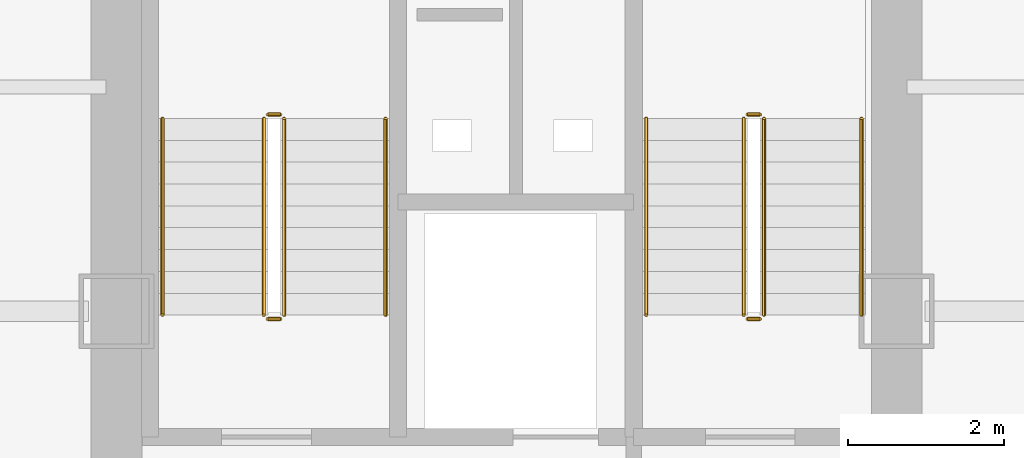
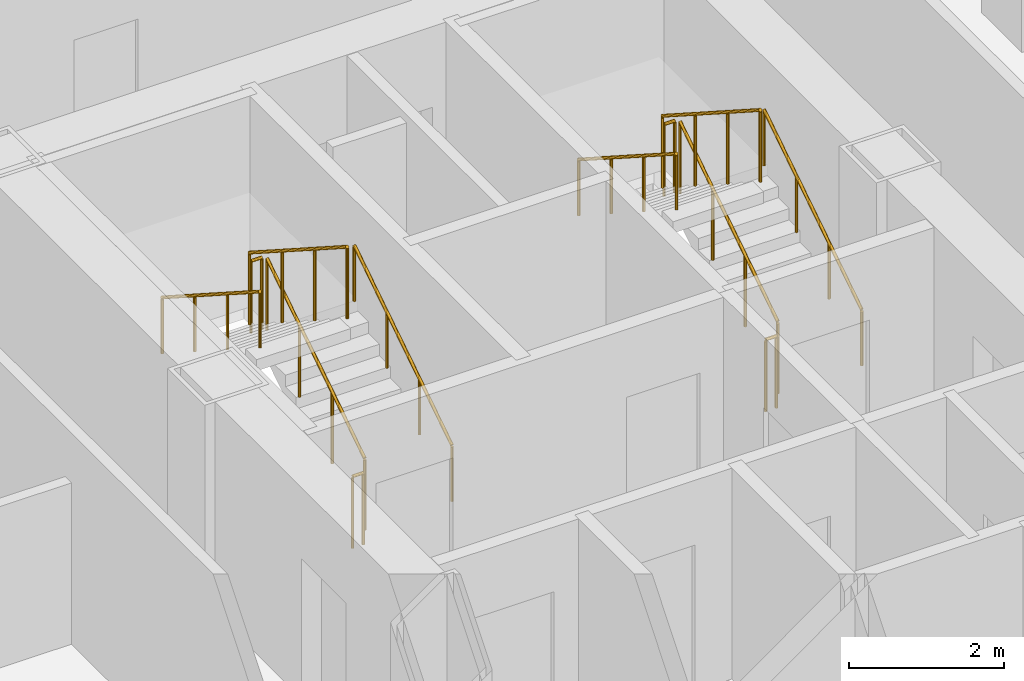
# One storey, part 20 of 21: 12 railings.
"""IFC4 building model written with IfcOpenShell, lengths in metres."""

from ifc_helpers import new_model, si_unit, direction, frame, origin, origin_2d, place, context, subcontext, project, spatial, circle, extrude, material, type_object, element, save


model = new_model("IFC4")

# Units and contexts
model_context = context("Model", 3, precision=1e-05, world=origin(), true_north=direction((0.0, 1.0)))
body_context = subcontext(model_context, "Body", "Model", "MODEL_VIEW")
ifc_project = project(units=[si_unit("LENGTHUNIT", "METRE"), si_unit("AREAUNIT", "SQUARE_METRE"), si_unit("VOLUMEUNIT", "CUBIC_METRE"), si_unit("PLANEANGLEUNIT", "RADIAN"), si_unit("MASSUNIT", "GRAM", prefix="KILO")], contexts=[model_context])

# Site, building, storey
site_placement = place(None, origin())
site = spatial("IfcSite", under=ifc_project, at=site_placement, CompositionType="ELEMENT")
building_placement = place(site_placement, origin())
building = spatial("IfcBuilding", under=site, at=building_placement, Name="Kolveth Station Tower", CompositionType="ELEMENT")
storey_placement = place(building_placement, frame((0.0, 0.0, 47.699951171875)))
storey = spatial("IfcBuildingStorey", under=building, at=storey_placement, Name="L12", CompositionType="ELEMENT", Elevation=47.699951171875)

# Railings
ifc_material_1 = material(Name="Painted Steel S355 balustrade", Category="steel")
railing_type_1 = type_object("IfcRailingType", Name="Guard_GR2", PredefinedType="BALUSTRADE", material=ifc_material_1)
railing_1_placement = place(storey_placement, frame((20.64990234375, 22.949951171875, 0.179931640625)))
element("IfcRailing", 1, at=railing_1_placement, inside=storey, type_object=railing_type_1, Name="L12 ST1 stair guard 1", PredefinedType="BALUSTRADE", context=body_context, shape_type="SweptSolid", body=[
    extrude(circle(Radius=0.02392578125, at=origin_2d()), frame((0.0, 0.0, 1.1259765625), z_axis=(0.0, 0.841162588446, 0.540782303519), x_axis=(-1.0, 0.0, 0.0)), (0.0, 0.0, 1.0), 2.995849609375),
    extrude(circle(Radius=0.02099609375, at=origin_2d()), origin(), (0.0, 0.0, 1.0), 1.101806640625),
    extrude(circle(Radius=0.02099609375, at=origin_2d()), frame((0.0, 0.840087890625, 0.5400390625)), (0.0, 0.0, 1.0), 1.101806640625),
    extrude(circle(Radius=0.02099609375, at=origin_2d()), frame((0.0, 1.679931640625, 1.080078125)), (0.0, 0.0, 1.0), 1.101806640625),
    extrude(circle(Radius=0.02099609375, at=origin_2d()), frame((0.0, 2.52001953125, 1.6201171875)), (0.0, 0.0, 1.0), 1.101806640625),
])
railing_2_placement = place(storey_placement, frame((20.60009765625, 25.52001953125, 1.800048828125)))
element("IfcRailing", 2, at=railing_2_placement, inside=storey, type_object=railing_type_1, Name="L12 ST1 stair guard 2", PredefinedType="BALUSTRADE", context=body_context, shape_type="SweptSolid", body=[
    extrude(circle(Radius=0.02392578125, at=origin_2d()), frame((0.0, 0.0, 1.1259765625), z_axis=(-1.0, 0.0, 0.0), x_axis=(0.0, -1.0, 0.0)), (0.0, 0.0, 1.0), 0.16015625),
    extrude(circle(Radius=0.02099609375, at=origin_2d()), origin(), (0.0, 0.0, 1.0), 1.101806640625),
    extrude(circle(Radius=0.02099609375, at=origin_2d()), frame((-0.16015625, 0.0, 0.0)), (0.0, 0.0, 1.0), 1.101806640625),
])
railing_3_placement = place(storey_placement, frame((20.389892578125, 25.469970703125, 1.97998046875)))
element("IfcRailing", 3, at=railing_3_placement, inside=storey, type_object=railing_type_1, Name="L12 ST1 stair guard 3", PredefinedType="BALUSTRADE", context=body_context, shape_type="SweptSolid", body=[
    extrude(circle(Radius=0.02392578125, at=origin_2d()), frame((0.0, 0.0, 1.1259765625), z_axis=(0.0, -0.841162588446, 0.540782303519), x_axis=(1.0, 0.0, 0.0)), (0.0, 0.0, 1.0), 2.995849609375),
    extrude(circle(Radius=0.02099609375, at=origin_2d()), origin(), (0.0, 0.0, 1.0), 1.101806640625),
    extrude(circle(Radius=0.02099609375, at=origin_2d()), frame((0.0, -0.840087890625, 0.5400390625)), (0.0, 0.0, 1.0), 1.101806640625),
    extrude(circle(Radius=0.02099609375, at=origin_2d()), frame((0.0, -1.679931640625, 1.080078125)), (0.0, 0.0, 1.0), 1.101806640625),
    extrude(circle(Radius=0.02099609375, at=origin_2d()), frame((0.0, -2.52001953125, 1.6201171875)), (0.0, 0.0, 1.0), 1.101806640625),
])
railing_4_placement = place(storey_placement, frame((20.60009765625, 22.89990234375, 0.0)))
element("IfcRailing", 4, at=railing_4_placement, inside=storey, type_object=railing_type_1, Name="L12 ST1 stair guard 4", PredefinedType="BALUSTRADE", context=body_context, shape_type="SweptSolid", body=[
    extrude(circle(Radius=0.02392578125, at=origin_2d()), frame((0.0, 0.0, 1.1259765625), z_axis=(-1.0, 0.0, 0.0), x_axis=(0.0, -1.0, 0.0)), (0.0, 0.0, 1.0), 0.16015625),
    extrude(circle(Radius=0.02099609375, at=origin_2d()), origin(), (0.0, 0.0, 1.0), 1.101806640625),
    extrude(circle(Radius=0.02099609375, at=origin_2d()), frame((-0.16015625, 0.0, 0.0)), (0.0, 0.0, 1.0), 1.101806640625),
])
railing_5_placement = place(storey_placement, frame((26.800048828125, 22.949951171875, 0.179931640625)))
element("IfcRailing", 5, at=railing_5_placement, inside=storey, type_object=railing_type_1, Name="L12 ST2 stair guard 1", PredefinedType="BALUSTRADE", context=body_context, shape_type="SweptSolid", body=[
    extrude(circle(Radius=0.02392578125, at=origin_2d()), frame((0.0, 0.0, 1.1259765625), z_axis=(0.0, 0.841162588446, 0.540782303519), x_axis=(-1.0, 0.0, 0.0)), (0.0, 0.0, 1.0), 2.995849609375),
    extrude(circle(Radius=0.02099609375, at=origin_2d()), origin(), (0.0, 0.0, 1.0), 1.101806640625),
    extrude(circle(Radius=0.02099609375, at=origin_2d()), frame((0.0, 0.840087890625, 0.5400390625)), (0.0, 0.0, 1.0), 1.101806640625),
    extrude(circle(Radius=0.02099609375, at=origin_2d()), frame((0.0, 1.679931640625, 1.080078125)), (0.0, 0.0, 1.0), 1.101806640625),
    extrude(circle(Radius=0.02099609375, at=origin_2d()), frame((0.0, 2.52001953125, 1.6201171875)), (0.0, 0.0, 1.0), 1.101806640625),
])
railing_6_placement = place(storey_placement, frame((26.75, 25.52001953125, 1.800048828125)))
element("IfcRailing", 6, at=railing_6_placement, inside=storey, type_object=railing_type_1, Name="L12 ST2 stair guard 2", PredefinedType="BALUSTRADE", context=body_context, shape_type="SweptSolid", body=[
    extrude(circle(Radius=0.02392578125, at=origin_2d()), frame((0.0, 0.0, 1.1259765625), z_axis=(-1.0, 0.0, 0.0), x_axis=(0.0, -1.0, 0.0)), (0.0, 0.0, 1.0), 0.159912109375),
    extrude(circle(Radius=0.02099609375, at=origin_2d()), origin(), (0.0, 0.0, 1.0), 1.101806640625),
    extrude(circle(Radius=0.02099609375, at=origin_2d()), frame((-0.159912109375, 0.0, 0.0)), (0.0, 0.0, 1.0), 1.101806640625),
])
railing_7_placement = place(storey_placement, frame((26.5400390625, 25.469970703125, 1.97998046875)))
element("IfcRailing", 7, at=railing_7_placement, inside=storey, type_object=railing_type_1, Name="L12 ST2 stair guard 3", PredefinedType="BALUSTRADE", context=body_context, shape_type="SweptSolid", body=[
    extrude(circle(Radius=0.02392578125, at=origin_2d()), frame((0.0, 0.0, 1.1259765625), z_axis=(0.0, -0.841162588446, 0.540782303519), x_axis=(1.0, 0.0, 0.0)), (0.0, 0.0, 1.0), 2.995849609375),
    extrude(circle(Radius=0.02099609375, at=origin_2d()), origin(), (0.0, 0.0, 1.0), 1.101806640625),
    extrude(circle(Radius=0.02099609375, at=origin_2d()), frame((0.0, -0.840087890625, 0.5400390625)), (0.0, 0.0, 1.0), 1.101806640625),
    extrude(circle(Radius=0.02099609375, at=origin_2d()), frame((0.0, -1.679931640625, 1.080078125)), (0.0, 0.0, 1.0), 1.101806640625),
    extrude(circle(Radius=0.02099609375, at=origin_2d()), frame((0.0, -2.52001953125, 1.6201171875)), (0.0, 0.0, 1.0), 1.101806640625),
])
railing_8_placement = place(storey_placement, frame((26.75, 22.89990234375, 0.0)))
element("IfcRailing", 8, at=railing_8_placement, inside=storey, type_object=railing_type_1, Name="L12 ST2 stair guard 4", PredefinedType="BALUSTRADE", context=body_context, shape_type="SweptSolid", body=[
    extrude(circle(Radius=0.02392578125, at=origin_2d()), frame((0.0, 0.0, 1.1259765625), z_axis=(-1.0, 0.0, 0.0), x_axis=(0.0, -1.0, 0.0)), (0.0, 0.0, 1.0), 0.159912109375),
    extrude(circle(Radius=0.02099609375, at=origin_2d()), origin(), (0.0, 0.0, 1.0), 1.101806640625),
    extrude(circle(Radius=0.02099609375, at=origin_2d()), frame((-0.159912109375, 0.0, 0.0)), (0.0, 0.0, 1.0), 1.101806640625),
])
ifc_material_2 = material(Name="Brushed stainless steel", Category="steel")
railing_type_2 = type_object("IfcRailingType", Name="Handrail_HR1", PredefinedType="HANDRAIL", material=ifc_material_2)
railing_9_placement = place(storey_placement, frame((21.949951171875, 22.949951171875, 0.179931640625)))
element("IfcRailing", 9, at=railing_9_placement, inside=storey, type_object=railing_type_2, Name="L12 ST1 stair handrail 1", PredefinedType="HANDRAIL", context=body_context, shape_type="SweptSolid", body=[
    extrude(circle(Radius=0.02392578125, at=origin_2d()), frame((0.0, 0.0, 0.8759765625), z_axis=(0.0, 0.841162588446, 0.540782303519), x_axis=(-1.0, 0.0, 0.0)), (0.0, 0.0, 1.0), 2.995849609375),
    extrude(circle(Radius=0.02099609375, at=origin_2d()), origin(), (0.0, 0.0, 1.0), 0.851806640625),
    extrude(circle(Radius=0.02099609375, at=origin_2d()), frame((0.0, 0.840087890625, 0.5400390625)), (0.0, 0.0, 1.0), 0.851806640625),
    extrude(circle(Radius=0.02099609375, at=origin_2d()), frame((0.0, 1.679931640625, 1.080078125)), (0.0, 0.0, 1.0), 0.851806640625),
    extrude(circle(Radius=0.02099609375, at=origin_2d()), frame((0.0, 2.52001953125, 1.6201171875)), (0.0, 0.0, 1.0), 0.851806640625),
])
railing_10_placement = place(storey_placement, frame((19.090087890625, 25.469970703125, 1.97998046875)))
element("IfcRailing", 10, at=railing_10_placement, inside=storey, type_object=railing_type_2, Name="L12 ST1 stair handrail 2", PredefinedType="HANDRAIL", context=body_context, shape_type="SweptSolid", body=[
    extrude(circle(Radius=0.02392578125, at=origin_2d()), frame((0.0, 0.0, 0.8759765625), z_axis=(0.0, -0.841162588446, 0.540782303519), x_axis=(1.0, 0.0, 0.0)), (0.0, 0.0, 1.0), 2.995849609375),
    extrude(circle(Radius=0.02099609375, at=origin_2d()), origin(), (0.0, 0.0, 1.0), 0.851806640625),
    extrude(circle(Radius=0.02099609375, at=origin_2d()), frame((0.0, -0.840087890625, 0.5400390625)), (0.0, 0.0, 1.0), 0.851806640625),
    extrude(circle(Radius=0.02099609375, at=origin_2d()), frame((0.0, -1.679931640625, 1.080078125)), (0.0, 0.0, 1.0), 0.851806640625),
    extrude(circle(Radius=0.02099609375, at=origin_2d()), frame((0.0, -2.52001953125, 1.6201171875)), (0.0, 0.0, 1.0), 0.851806640625),
])
railing_11_placement = place(storey_placement, frame((28.050048828125, 22.949951171875, 0.179931640625)))
element("IfcRailing", 11, at=railing_11_placement, inside=storey, type_object=railing_type_2, Name="L12 ST2 stair handrail 1", PredefinedType="HANDRAIL", context=body_context, shape_type="SweptSolid", body=[
    extrude(circle(Radius=0.02392578125, at=origin_2d()), frame((0.0, 0.0, 0.8759765625), z_axis=(0.0, 0.841162588446, 0.540782303519), x_axis=(-1.0, 0.0, 0.0)), (0.0, 0.0, 1.0), 2.995849609375),
    extrude(circle(Radius=0.02099609375, at=origin_2d()), origin(), (0.0, 0.0, 1.0), 0.851806640625),
    extrude(circle(Radius=0.02099609375, at=origin_2d()), frame((0.0, 0.840087890625, 0.5400390625)), (0.0, 0.0, 1.0), 0.851806640625),
    extrude(circle(Radius=0.02099609375, at=origin_2d()), frame((0.0, 1.679931640625, 1.080078125)), (0.0, 0.0, 1.0), 0.851806640625),
    extrude(circle(Radius=0.02099609375, at=origin_2d()), frame((0.0, 2.52001953125, 1.6201171875)), (0.0, 0.0, 1.0), 0.851806640625),
])
railing_12_placement = place(storey_placement, frame((25.2900390625, 25.469970703125, 1.97998046875)))
element("IfcRailing", 12, at=railing_12_placement, inside=storey, type_object=railing_type_2, Name="L12 ST2 stair handrail 2", PredefinedType="HANDRAIL", context=body_context, shape_type="SweptSolid", body=[
    extrude(circle(Radius=0.02392578125, at=origin_2d()), frame((0.0, 0.0, 0.8759765625), z_axis=(0.0, -0.841162588446, 0.540782303519), x_axis=(1.0, 0.0, 0.0)), (0.0, 0.0, 1.0), 2.995849609375),
    extrude(circle(Radius=0.02099609375, at=origin_2d()), origin(), (0.0, 0.0, 1.0), 0.851806640625),
    extrude(circle(Radius=0.02099609375, at=origin_2d()), frame((0.0, -0.840087890625, 0.5400390625)), (0.0, 0.0, 1.0), 0.851806640625),
    extrude(circle(Radius=0.02099609375, at=origin_2d()), frame((0.0, -1.679931640625, 1.080078125)), (0.0, 0.0, 1.0), 0.851806640625),
    extrude(circle(Radius=0.02099609375, at=origin_2d()), frame((0.0, -2.52001953125, 1.6201171875)), (0.0, 0.0, 1.0), 0.851806640625),
])

save(model, "model.ifc")
